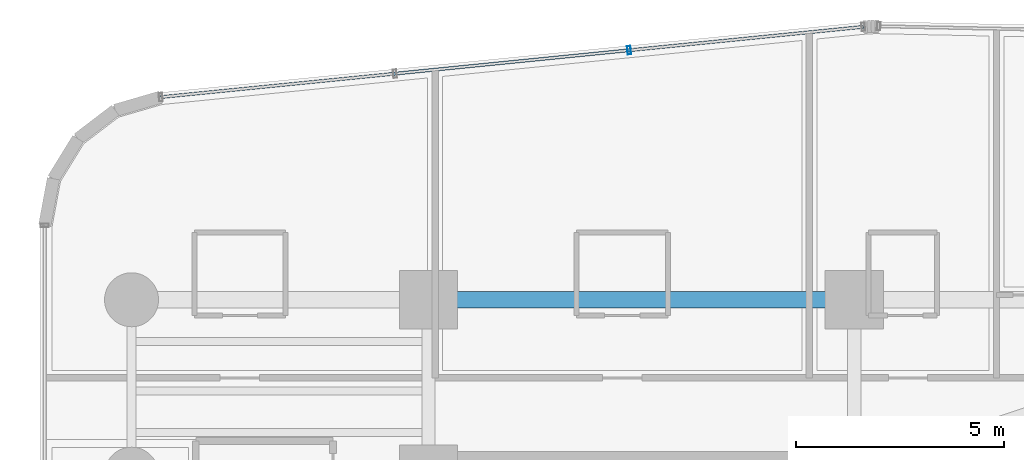
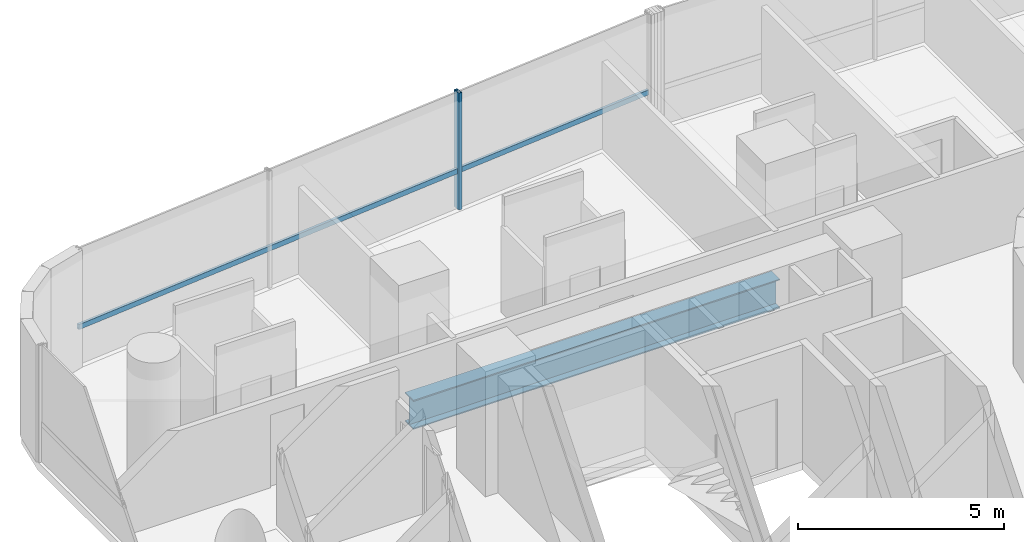
# One storey, part 19 of 40: 2 members, 1 beam, 1 element without a shape of its own.
"""IFC4 building model written with IfcOpenShell, lengths in metres."""

from ifc_helpers import new_model, si_unit, direction, frame, origin, origin_2d, place, context, subcontext, project, spatial, hollow_rectangle, i_section, extrude, source, transform, mapped, material, material_profile, profile_set, type_object, element, aggregate, save


model = new_model("IFC4")

# Units and contexts
model_context = context("Model", 3, precision=1e-05, world=origin(), true_north=direction((0.0, 1.0)))
body_context = subcontext(model_context, "Body", "Model", "MODEL_VIEW")
ifc_project = project(units=[si_unit("LENGTHUNIT", "METRE"), si_unit("AREAUNIT", "SQUARE_METRE"), si_unit("VOLUMEUNIT", "CUBIC_METRE"), si_unit("PLANEANGLEUNIT", "RADIAN"), si_unit("MASSUNIT", "GRAM", prefix="KILO")], contexts=[model_context])

# Site, building, storey
site_placement = place(None, origin())
site = spatial("IfcSite", under=ifc_project, at=site_placement, CompositionType="ELEMENT")
building_placement = place(site_placement, origin())
building = spatial("IfcBuilding", under=site, at=building_placement, Name="Valdorenza Pilgrim Sanctuary Tower", CompositionType="ELEMENT")
storey_placement = place(building_placement, frame((0.0, 0.0, 92.60009765625)))
storey = spatial("IfcBuildingStorey", under=building, at=storey_placement, Name="L23", CompositionType="ELEMENT", Elevation=92.60009765625)

# Beam
ifc_material_1 = material(Name="Steel ASTM A992 Grade 50", Category="steel")
ifc_material_profile_1 = material_profile(ifc_material_1, i_section(OverallWidth=0.39990234375, OverallDepth=0.862060546875, WebThickness=0.019775390625, FlangeThickness=0.032470703125, at=origin_2d()), Name="W33X221")
ifc_profile_set_1 = profile_set([ifc_material_profile_1], Name="Steel ASTM A992 Grade 50")
beam_type = type_object("IfcBeamType", Name="STR-BM-GRD-W33", PredefinedType="BEAM", material=ifc_profile_set_1)
shared_shape_1 = source(origin(), body_context, "Body", "SweptSolid", [
    extrude(i_section(OverallWidth=0.39990234375, OverallDepth=0.862060546875, WebThickness=0.019775390625, FlangeThickness=0.032470703125, at=origin_2d()), origin(), (0.0, 0.0, 1.0), 10.25),
])
beam_placement = place(storey_placement, frame((-22.64990234375, 14.800048828125, -0.671142578125), z_axis=(1.0, 0.0, 0.0), x_axis=(0.0, 1.0, 0.0)))
element("IfcBeam", 1, at=beam_placement, inside=storey, type_object=beam_type, Name="L23 Floor Girder CA-XC-N2", PredefinedType="BEAM", context=body_context, shape_type="MappedRepresentation", body=[
    mapped(shared_shape_1, transform((0.0, 0.0, 0.0), x_axis=(1.0, 0.0, 0.0), y_axis=(0.0, 1.0, 0.0), z_axis=(0.0, 0.0, 1.0), scale=1.0)),
])

# Curtain wall, members
ifc_material_2 = material(Name="Curtain-wall IGU glazing", Category="glass")
curtain_wall_type = type_object("IfcCurtainWallType", Name="CW-SYS-02", PredefinedType="NOTDEFINED", material=ifc_material_2)
curtain_wall_placement = place(storey_placement, origin())
curtain_wall = element("IfcCurtainWall", 2, at=curtain_wall_placement, inside=storey, type_object=curtain_wall_type, Name="L23 Curtain Wall CW-L23-1-6", PredefinedType="NOTDEFINED")
ifc_material_3 = material(Name="Anodised aluminium AW-6060", Category="aluminium")
ifc_material_profile_2 = material_profile(ifc_material_3, hollow_rectangle(XDim=0.0849609375, YDim=0.199951171875, WallThickness=0.0048828125, at=origin_2d()), Name="ALU-M 200x85x5")
ifc_profile_set_2 = profile_set([ifc_material_profile_2], Name="Anodised aluminium AW-6060")
member_type_1 = type_object("IfcMemberType", Name="CW-MUL-02", PredefinedType="MULLION", material=ifc_profile_set_2)
shared_shape_2 = source(origin(), body_context, "Body", "SweptSolid", [
    extrude(hollow_rectangle(XDim=0.0849609375, YDim=0.199951171875, WallThickness=0.0048828125, at=origin_2d()), origin(), (0.0, 0.0, 1.0), 3.4599609375),
])
member_1_placement = place(storey_placement, frame((-17.820556640625, 20.8076171875, 0.0), z_axis=(0.0, 0.0, 1.0), x_axis=(0.995038220239, 0.099493418189, 0.0)))
member_1 = element("IfcMember", 3, at=member_1_placement, type_object=member_type_1, Name="CW-L23-1-6 Mullion 3", PredefinedType="MULLION", context=body_context, shape_type="MappedRepresentation", body=[
    mapped(shared_shape_2, transform((0.0, 0.0, 0.0), x_axis=(1.0, 0.0, 0.0), y_axis=(0.0, 1.0, 0.0), z_axis=(0.0, 0.0, 1.0), scale=1.0)),
])
ifc_material_profile_3 = material_profile(ifc_material_3, hollow_rectangle(XDim=0.074951171875, YDim=0.14990234375, WallThickness=0.00390625, at=origin_2d()), Name="ALU-T 150x75x4")
ifc_profile_set_3 = profile_set([ifc_material_profile_3], Name="Anodised aluminium AW-6060")
member_type_2 = type_object("IfcMemberType", Name="CW-TRN-02", PredefinedType="USERDEFINED", material=ifc_profile_set_3)
shared_shape_3 = source(origin(), body_context, "Body", "SweptSolid", [
    extrude(hollow_rectangle(XDim=0.074951171875, YDim=0.14990234375, WallThickness=0.00390625, at=origin_2d()), origin(), (0.0, 0.0, 1.0), 17.0),
])
member_2_placement = place(storey_placement, frame((-29.097412109375, 19.6796875, 1.119873046875), z_axis=(0.99503662143, 0.099509406661, 0.0), x_axis=(-0.099509406661, 0.99503662143, 0.0)))
member_2 = element("IfcMember", 4, at=member_2_placement, type_object=member_type_2, Name="CW-L23-1-6 Transom 1", ObjectType="TRANSOM", PredefinedType="USERDEFINED", context=body_context, shape_type="MappedRepresentation", body=[
    mapped(shared_shape_3, transform((0.0, 0.0, 0.0), x_axis=(1.0, 0.0, 0.0), y_axis=(0.0, 1.0, 0.0), z_axis=(0.0, 0.0, 1.0), scale=1.0)),
])
aggregate(curtain_wall, [member_1, member_2])

save(model, "model.ifc")
